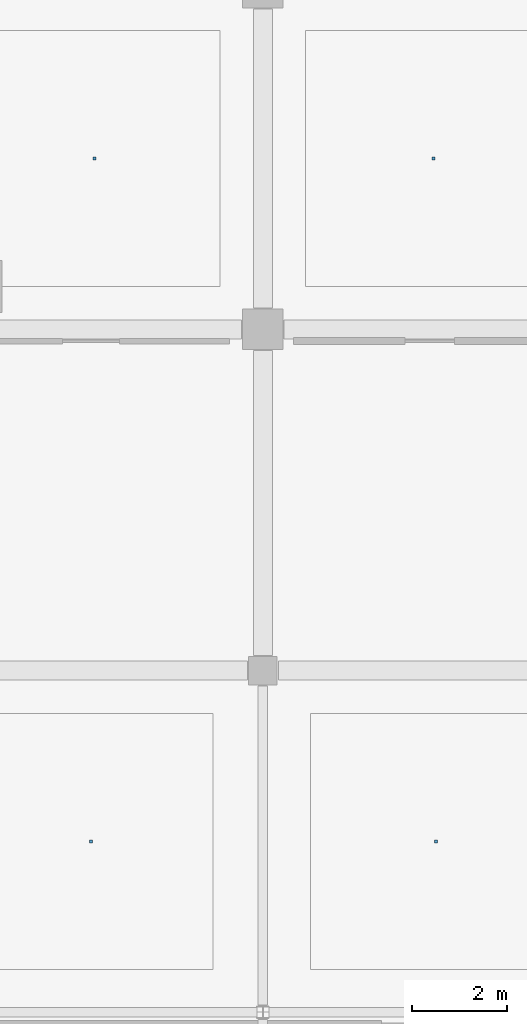
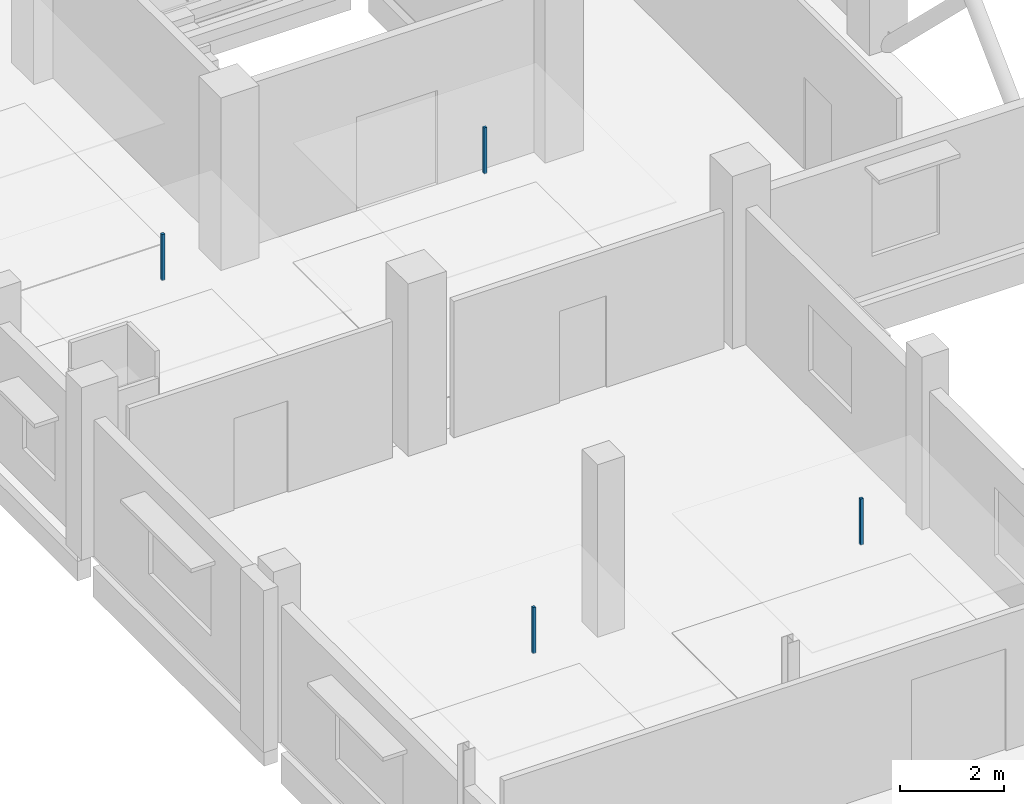
# One storey, part 87 of 107: 4 discrete accessories.
"""IFC4 building model written with IfcOpenShell, lengths in metres."""

from ifc_helpers import new_model, si_unit, direction, frame, origin, origin_2d, place, context, subcontext, project, spatial, rectangle, extrude, material, type_object, element, save


model = new_model("IFC4")

# Units and contexts
model_context = context("Model", 3, precision=1e-05, world=origin(), true_north=direction((0.0, 1.0)))
body_context = subcontext(model_context, "Body", "Model", "MODEL_VIEW")
ifc_project = project(units=[si_unit("LENGTHUNIT", "METRE"), si_unit("AREAUNIT", "SQUARE_METRE"), si_unit("VOLUMEUNIT", "CUBIC_METRE"), si_unit("PLANEANGLEUNIT", "RADIAN"), si_unit("MASSUNIT", "GRAM", prefix="KILO")], contexts=[model_context])

# Site, building, storey
site_placement = place(None, origin())
site = spatial("IfcSite", under=ifc_project, at=site_placement, CompositionType="ELEMENT")
building_placement = place(site_placement, origin())
building = spatial("IfcBuilding", under=site, at=building_placement, Name="Kangsadwip Square Police Headquarters", CompositionType="ELEMENT")
storey_placement = place(building_placement, frame((0.0, 0.0, 5.39990234375)))
storey = spatial("IfcBuildingStorey", under=building, at=storey_placement, Name="L01", CompositionType="ELEMENT", Elevation=5.39990234375)

# Discrete accessories
ifc_material = material(Name="Structural steel IS 2062 E350 (Grade 350, 350 MPa)", Category="steel")
discrete_accessory_type = type_object("IfcDiscreteAccessoryType", Name="VeilOutriggerBracket", PredefinedType="BRACKET", material=ifc_material)
for number, where, z_axis, x_axis, name in (
    (1, (3.64990234375, 39.60009765625, 2.81005859375), (0.0, 0.0, 1.0), (1.0, 0.0, 0.0), "Ceiling Suspension Hanger L01-046"),
    (2, (10.800048828125, 39.60009765625, 2.81005859375), (0.0, 0.0, 1.0), (1.0, 0.0, 0.0), "Ceiling Suspension Hanger L01-047"),
    (3, (3.574951171875, 25.199951171875, 2.81005859375), (0.0, 0.0, 1.0), (1.0, 0.0, 0.0), "Ceiling Suspension Hanger L01-058"),
    (4, (10.85009765625, 25.199951171875, 2.81005859375), (0.0, 0.0, 1.0), (1.0, 0.0, 0.0), "Ceiling Suspension Hanger L01-059"),
):
    element("IfcDiscreteAccessory", number, at=place(storey_placement, frame(where, z_axis=z_axis, x_axis=x_axis)), inside=storey, type_object=discrete_accessory_type, Name=name, PredefinedType="BRACKET", context=body_context, shape_type="SweptSolid", body=[
        extrude(rectangle(XDim=0.06005859375, YDim=0.06005859375, at=origin_2d()), origin(), (0.0, 0.0, 1.0), 1.080078125),
    ])

save(model, "model.ifc")
